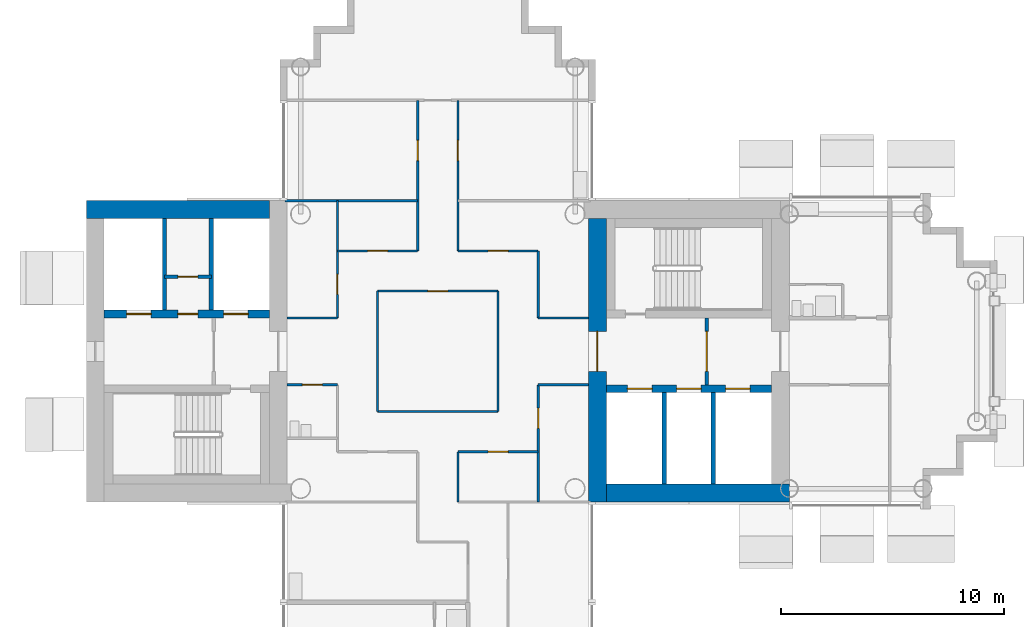
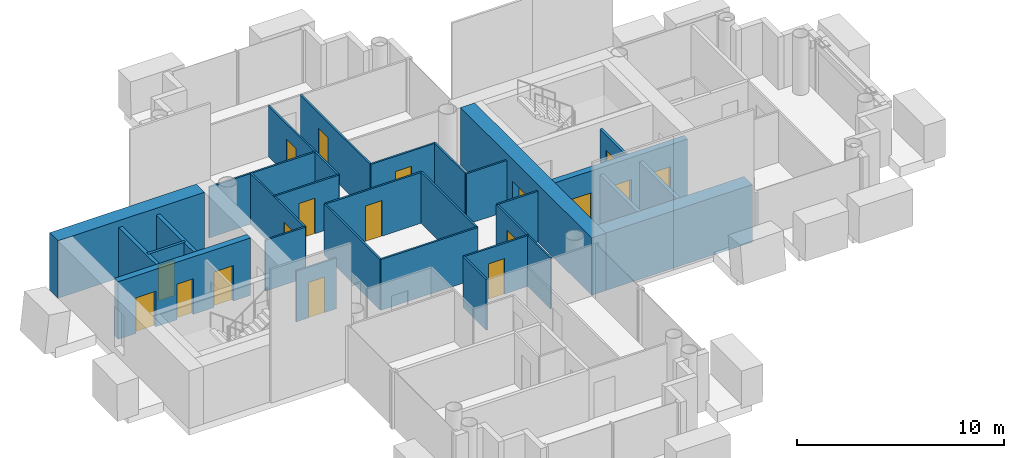
# One storey, part 7 of 18: 29 walls, 18 doors, 18 openings.
"""IFC4 building model written with IfcOpenShell, lengths in metres."""

import ifcopenshell
import ifcopenshell.guid

model = None  # the IFC model being written
_history = None  # IfcOwnerHistory: only IFC2X3 demands one
_inside = {}  # id of a spatial element -> (the spatial element, [elements in it])
_under = {}  # id of a project, library or spatial element -> (it, [spatial elements below it])
_declared = {}  # id of a project -> (the project, [libraries it declares])
_typed = {}  # id of a type object -> (the type object, [elements of that type])
_made_of = {}  # id of a material, layer set ... -> (it, [elements and type objects made of it])


def new_model(schema):
    """Start an empty IFC model of exactly this schema.

    Asked for "IFC4X3", IfcOpenShell would pick the latest addendum, in which some entities
    have other attributes; the version numbers below select the first issue.
    IFC2X3 requires an IfcOwnerHistory on every rooted entity: one is made here for all.
    """
    global model, _history
    if schema == "IFC4X3":
        model = ifcopenshell.file(schema_version=(4, 3, 0, 0))
    else:
        model = ifcopenshell.file(schema=schema)
    _inside.clear()
    _under.clear()
    _declared.clear()
    _typed.clear()
    _made_of.clear()
    _history = None
    if model.schema == "IFC2X3":
        org = make("IfcOrganization", Name="unknown")
        user = make(
            "IfcPersonAndOrganization",
            ThePerson=make("IfcPerson", FamilyName="unknown"),
            TheOrganization=org,
        )
        app = make(
            "IfcApplication",
            ApplicationDeveloper=org,
            Version="unknown",
            ApplicationFullName="unknown",
            ApplicationIdentifier="unknown",
        )
        _history = make(
            "IfcOwnerHistory",
            OwningUser=user,
            OwningApplication=app,
            ChangeAction="ADDED",
            CreationDate=0,
        )
    return model


def make(cls, **values):
    """One entity of the class cls with the attributes given. An attribute that is None is left unset."""
    return model.create_entity(
        cls, **{name: value for name, value in values.items() if value is not None}
    )


def rooted(cls, **values):
    """An entity with a GlobalId (a new one), such as an element, a storey or a relation."""
    return make(cls, GlobalId=ifcopenshell.guid.new(), OwnerHistory=_history, **values)


def si_unit(unit_type, name, prefix=None):
    """IfcSIUnit, for example si_unit("LENGTHUNIT", "METRE", prefix="MILLI")."""
    return make("IfcSIUnit", UnitType=unit_type, Prefix=prefix, Name=name)


def assignment(units):
    """IfcUnitAssignment: the units of a project."""
    return None if units is None else make("IfcUnitAssignment", Units=units)


def point(xyz):
    """IfcCartesianPoint."""
    return None if xyz is None else make("IfcCartesianPoint", Coordinates=xyz)


def direction(xyz):
    """IfcDirection."""
    return None if xyz is None else make("IfcDirection", DirectionRatios=xyz)


def frame(location, z_axis=None, x_axis=None):
    """IfcAxis2Placement3D, a coordinate frame: its origin and axes. An axis left out is left unset."""
    return make(
        "IfcAxis2Placement3D",
        Location=point(location),
        Axis=direction(z_axis),
        RefDirection=direction(x_axis),
    )


def frame_2d(location, x_axis=None):
    """IfcAxis2Placement2D, a coordinate frame in the plane: its origin and x axis."""
    return make(
        "IfcAxis2Placement2D", Location=point(location), RefDirection=direction(x_axis)
    )


def origin():
    """The frame at (0, 0, 0) with its axes left unset."""
    return frame((0.0, 0.0, 0.0))


def place(relative_to, where):
    """IfcLocalPlacement: puts the frame where relative to a parent placement (None: the world)."""
    return make(
        "IfcLocalPlacement", PlacementRelTo=relative_to, RelativePlacement=where
    )


def context(
    kind, dimensions, precision=None, world=None, true_north=None, identifier=None
):
    """IfcGeometricRepresentationContext, for example the 3D "Model" context."""
    return make(
        "IfcGeometricRepresentationContext",
        ContextIdentifier=identifier,
        ContextType=kind,
        CoordinateSpaceDimension=dimensions,
        Precision=precision,
        WorldCoordinateSystem=world,
        TrueNorth=true_north,
    )


def subcontext(parent, identifier, kind, view, scale=None):
    """IfcGeometricRepresentationSubContext, for example "Body" below "Model"."""
    return make(
        "IfcGeometricRepresentationSubContext",
        ContextIdentifier=identifier,
        ContextType=kind,
        ParentContext=parent,
        TargetScale=scale,
        TargetView=view,
    )


def project(units=None, contexts=None):
    """IfcProject with its units and contexts."""
    return rooted(
        "IfcProject",
        Name="project",
        RepresentationContexts=contexts,
        UnitsInContext=assignment(units),
    )


def spatial(cls, under=None, at=None, **own):
    """A site, building, storey or space (cls), placed at a placement, below another one or the project."""
    s = rooted(cls, ObjectPlacement=at, **own)
    if under is not None:
        _under.setdefault(under.id(), (under, []))[1].append(s)
    return s


def profile(cls, at=None, kind="AREA", **sizes):
    """A parametric profile (cls). Its sizes go by their IFC names, for example OverallWidth=200.0."""
    return make(cls, ProfileType=kind, Position=at, **sizes)


def rectangle(**sizes):
    """IfcRectangleProfileDef."""
    return profile("IfcRectangleProfileDef", **sizes)


def extrude(swept, where, along, depth):
    """IfcExtrudedAreaSolid: the profile swept, set in the frame where, extruded along a direction by depth."""
    return make(
        "IfcExtrudedAreaSolid",
        SweptArea=swept,
        Position=where,
        ExtrudedDirection=direction(along),
        Depth=depth,
    )


def shape(context_of_items, identifier, shape_type, items):
    """IfcShapeRepresentation: the items that make up one representation, for example the "Body"."""
    return make(
        "IfcShapeRepresentation",
        ContextOfItems=context_of_items,
        RepresentationIdentifier=identifier,
        RepresentationType=shape_type,
        Items=items,
    )


def material(Name=None, Category=None):
    """IfcMaterial."""
    return make("IfcMaterial", Name=Name, Category=Category)


def layer(
    of_material, thickness, ventilated=None, Name=None, Category=None, Priority=None
):
    """IfcMaterialLayer: one layer of a wall or slab, of a material (None: an air gap)."""
    return make(
        "IfcMaterialLayer",
        Material=of_material,
        LayerThickness=thickness,
        IsVentilated=ventilated,
        Name=Name,
        Category=Category,
        Priority=Priority,
    )


def layer_set(layers, Name=None):
    """IfcMaterialLayerSet."""
    return make("IfcMaterialLayerSet", MaterialLayers=layers, LayerSetName=Name)


def made_of(thing, what):
    """Note that an element or type object is made of a material, layer set ...; save() writes the relation."""
    if what is not None:
        _made_of.setdefault(what.id(), (what, []))[1].append(thing)
    return thing


def type_object(cls, material=None, **own):
    """A type object (cls), such as IfcWallType, which elements share."""
    return made_of(rooted(cls, **own), material)


def element(
    cls,
    number,
    at=None,
    inside=None,
    cuts=None,
    type_object=None,
    material=None,
    context=None,
    identifier="Body",
    shape_type=None,
    held_by="IfcProductDefinitionShape",
    body=None,
    shapes=None,
    **own,
):
    """One element of the class cls, such as IfcWall. Its Tag is "e" and its number.

    at: its placement. inside: the storey or other place that contains it. cuts: it is an
    opening in that element (IfcRelVoidsElement). A single representation is given by context,
    identifier, shape_type and body (its items); several are given by shapes. held_by: the class
    of the entity that holds the representations. save() writes the other relations.
    """
    e = rooted(cls, Tag="e%d" % number, ObjectPlacement=at, **own)
    if body is not None:
        shapes = [shape(context, identifier, shape_type, body)]
    if shapes is not None:
        e.Representation = make(held_by, Representations=shapes)
    if inside is not None:
        _inside.setdefault(inside.id(), (inside, []))[1].append(e)
    if cuts is not None:
        rooted(
            "IfcRelVoidsElement", RelatingBuildingElement=cuts, RelatedOpeningElement=e
        )
    if type_object is not None:
        _typed.setdefault(type_object.id(), (type_object, []))[1].append(e)
    return made_of(e, material)


def fill(opening, filler):
    """IfcRelFillsElement: the door or window that sits in an opening."""
    return rooted(
        "IfcRelFillsElement",
        RelatingOpeningElement=opening,
        RelatedBuildingElement=filler,
    )


def aggregate(whole, parts):
    """IfcRelAggregates: a whole, such as a stair, and the parts it consists of."""
    return rooted("IfcRelAggregates", RelatingObject=whole, RelatedObjects=parts)


def save(model, path):
    """Write the relations noted so far, then the file.

    IfcRelAggregates (storeys below a building ...), IfcRelContainedInSpatialStructure (elements
    in a storey), IfcRelDefinesByType, IfcRelAssociatesMaterial and IfcRelDeclares: one each for
    every whole, place, type object, material and project.
    """
    for whole, parts in _under.values():
        aggregate(whole, parts)
    for where, things in _inside.values():
        rooted(
            "IfcRelContainedInSpatialStructure",
            RelatedElements=things,
            RelatingStructure=where,
        )
    for kind, things in _typed.values():
        rooted("IfcRelDefinesByType", RelatedObjects=things, RelatingType=kind)
    for what, things in _made_of.values():
        rooted("IfcRelAssociatesMaterial", RelatedObjects=things, RelatingMaterial=what)
    for by, libraries in _declared.values():
        rooted("IfcRelDeclares", RelatingContext=by, RelatedDefinitions=libraries)
    model.write(path)


model = new_model("IFC4")

# Units and contexts
model_context = context("Model", 3, precision=1e-05, world=origin(), true_north=direction((0.0, 1.0)))
body_context = subcontext(model_context, "Body", "Model", "MODEL_VIEW")
ifc_project = project(units=[si_unit("LENGTHUNIT", "METRE"), si_unit("AREAUNIT", "SQUARE_METRE"), si_unit("VOLUMEUNIT", "CUBIC_METRE"), si_unit("PLANEANGLEUNIT", "RADIAN"), si_unit("MASSUNIT", "GRAM", prefix="KILO")], contexts=[model_context])

# Site, building, storey
site_placement = place(None, origin())
site = spatial("IfcSite", under=ifc_project, at=site_placement, CompositionType="ELEMENT")
building_placement = place(site_placement, origin())
building = spatial("IfcBuilding", under=site, at=building_placement, Name="Ipe Terrace Towers", CompositionType="ELEMENT")
storey_placement = place(building_placement, frame((0.0, 0.0, 177.89990234375)))
storey = spatial("IfcBuildingStorey", under=building, at=storey_placement, Name="L49", CompositionType="ELEMENT", Elevation=177.89990234375)

# Wall, opening, door
ifc_material_1 = material(Name="Gypsum board partition", Category="plasterboard")
ifc_layer_1 = layer(ifc_material_1, 0.10009765625)
ifc_layer_set_1 = layer_set([ifc_layer_1], Name="Gypsum board partition 100 mm")
wall_type_1 = type_object("IfcWallType", Name="Gypsum board partition 100 mm", PredefinedType="PARTITIONING", material=ifc_layer_set_1)
wall_1_placement = place(storey_placement, frame((-40.5, 1.5, 0.0), z_axis=(0.0, 0.0, 1.0), x_axis=(0.0, 1.0, 0.0)))
wall_1 = element("IfcWall", 1, at=wall_1_placement, inside=storey, type_object=wall_type_1, Name="Gypsum board partition T1 L49 W02", PredefinedType="PARTITIONING", context=body_context, shape_type="SweptSolid", body=[
    extrude(rectangle(XDim=5.25, YDim=0.10009765625, at=frame_2d((2.625, 0.0))), origin(), (0.0, 0.0, 1.0), 3.0),
])
opening_1_placement = place(wall_1_placement, frame((1.050048828125, 0.0, 0.0)))
opening_1 = element("IfcOpeningElement", 2, at=opening_1_placement, cuts=wall_1, Name="Opening T1-Z3E-05", PredefinedType="OPENING", context=body_context, shape_type="SweptSolid", body=[
    extrude(rectangle(XDim=0.89990234375, YDim=2.10009765625, at=frame_2d((0.449951171875, 1.050048828125))), frame((0.0, 0.06005859375, 0.0), z_axis=(0.0, -1.0, 0.0), x_axis=(1.0, 0.0, 0.0)), (0.0, 0.0, 1.0), 0.1201171875),
])
ifc_material_2 = material(Name="Timber door leaf", Category="wood")
door_type_1 = type_object("IfcDoorType", Name="Lounge door 900 x 2100", OperationType="NOTDEFINED", PredefinedType="DOOR", material=ifc_material_2)
door_1_placement = place(opening_1_placement, origin())
door_1 = element("IfcDoor", 3, at=door_1_placement, inside=storey, type_object=door_type_1, Name="Lounge door T1-Z3E-05", OperationType="SINGLE_SWING_RIGHT", OverallHeight=2.10009765625, OverallWidth=0.89990234375, PredefinedType="DOOR", context=body_context, shape_type="SweptSolid", body=[
    extrude(rectangle(XDim=0.89990234375, YDim=2.10009765625, at=frame_2d((0.449951171875, 1.050048828125))), frame((0.0, 0.02490234375, 0.0), z_axis=(0.0, -1.0, 0.0), x_axis=(1.0, 0.0, 0.0)), (0.0, 0.0, 1.0), 0.050048828125),
])
fill(opening_1, door_1)

# Wall
wall_2_placement = place(storey_placement, frame((-38.699951171875, -2.699951171875, 0.0), z_axis=(0.0, 0.0, 1.0), x_axis=(0.0, 1.0, 0.0)))
element("IfcWall", 4, at=wall_2_placement, inside=storey, type_object=wall_type_1, Name="Gypsum board partition T1 L49 W03", PredefinedType="PARTITIONING", context=body_context, shape_type="SweptSolid", body=[
    extrude(rectangle(XDim=5.39990234375, YDim=0.10009765625, at=frame_2d((2.699951171875, 0.0))), origin(), (0.0, 0.0, 1.0), 3.0),
])

# Wall, opening, door
wall_3_placement = place(storey_placement, frame((-36.89990234375, 4.5, 0.0), z_axis=(0.0, 0.0, 1.0), x_axis=(0.0, 1.0, 0.0)))
wall_3 = element("IfcWall", 5, at=wall_3_placement, inside=storey, type_object=wall_type_1, Name="Gypsum board partition T1 L49 W05", PredefinedType="PARTITIONING", context=body_context, shape_type="SweptSolid", body=[
    extrude(rectangle(XDim=6.75, YDim=0.10009765625, at=frame_2d((3.375, 0.0))), origin(), (0.0, 0.0, 1.0), 3.0),
])
opening_2_placement = place(wall_3_placement, frame((4.050048828125, 0.0, 0.0)))
opening_2 = element("IfcOpeningElement", 6, at=opening_2_placement, cuts=wall_3, Name="Opening T1-Z3E-09", PredefinedType="OPENING", context=body_context, shape_type="SweptSolid", body=[
    extrude(rectangle(XDim=0.89990234375, YDim=2.10009765625, at=frame_2d((0.449951171875, 1.050048828125))), frame((0.0, 0.06005859375, 0.0), z_axis=(0.0, -1.0, 0.0), x_axis=(1.0, 0.0, 0.0)), (0.0, 0.0, 1.0), 0.1201171875),
])
door_2_placement = place(opening_2_placement, origin())
door_2 = element("IfcDoor", 7, at=door_2_placement, inside=storey, type_object=door_type_1, Name="Lounge door T1-Z3E-09", OperationType="SINGLE_SWING_LEFT", OverallHeight=2.10009765625, OverallWidth=0.89990234375, PredefinedType="DOOR", context=body_context, shape_type="SweptSolid", body=[
    extrude(rectangle(XDim=0.89990234375, YDim=2.10009765625, at=frame_2d((0.449951171875, 1.050048828125))), frame((0.0, 0.02490234375, 0.0), z_axis=(0.0, -1.0, 0.0), x_axis=(1.0, 0.0, 0.0)), (0.0, 0.0, 1.0), 0.050048828125),
])
fill(opening_2, door_2)

# Wall
wall_4_placement = place(storey_placement, frame((-35.10009765625, -6.75, 0.0), z_axis=(0.0, 0.0, 1.0), x_axis=(0.0, 1.0, 0.0)))
element("IfcWall", 8, at=wall_4_placement, inside=storey, type_object=wall_type_1, Name="Gypsum board partition T1 L49 W07", PredefinedType="PARTITIONING", context=body_context, shape_type="SweptSolid", body=[
    extrude(rectangle(XDim=2.25, YDim=0.10009765625, at=frame_2d((1.125, 0.0))), origin(), (0.0, 0.0, 1.0), 3.0),
])

# Wall, opening, door
wall_5_placement = place(storey_placement, frame((-35.10009765625, 4.5, 0.0), z_axis=(0.0, 0.0, 1.0), x_axis=(0.0, 1.0, 0.0)))
wall_5 = element("IfcWall", 9, at=wall_5_placement, inside=storey, type_object=wall_type_1, Name="Gypsum board partition T1 L49 W08", PredefinedType="PARTITIONING", context=body_context, shape_type="SweptSolid", body=[
    extrude(rectangle(XDim=6.75, YDim=0.10009765625, at=frame_2d((3.375, 0.0))), origin(), (0.0, 0.0, 1.0), 3.0),
])
opening_3_placement = place(wall_5_placement, frame((4.050048828125, 0.0, 0.0)))
opening_3 = element("IfcOpeningElement", 10, at=opening_3_placement, cuts=wall_5, Name="Opening T1-Z3E-10", PredefinedType="OPENING", context=body_context, shape_type="SweptSolid", body=[
    extrude(rectangle(XDim=0.89990234375, YDim=2.10009765625, at=frame_2d((0.449951171875, 1.050048828125))), frame((0.0, 0.06005859375, 0.0), z_axis=(0.0, -1.0, 0.0), x_axis=(1.0, 0.0, 0.0)), (0.0, 0.0, 1.0), 0.1201171875),
])
door_3_placement = place(opening_3_placement, origin())
door_3 = element("IfcDoor", 11, at=door_3_placement, inside=storey, type_object=door_type_1, Name="Lounge door T1-Z3E-10", OperationType="SINGLE_SWING_RIGHT", OverallHeight=2.10009765625, OverallWidth=0.89990234375, PredefinedType="DOOR", context=body_context, shape_type="SweptSolid", body=[
    extrude(rectangle(XDim=0.89990234375, YDim=2.10009765625, at=frame_2d((0.449951171875, 1.050048828125))), frame((0.0, 0.02490234375, 0.0), z_axis=(0.0, -1.0, 0.0), x_axis=(1.0, 0.0, 0.0)), (0.0, 0.0, 1.0), 0.050048828125),
])
fill(opening_3, door_3)

# Wall
wall_6_placement = place(storey_placement, frame((-33.300048828125, -2.699951171875, 0.0), z_axis=(0.0, 0.0, 1.0), x_axis=(0.0, 1.0, 0.0)))
element("IfcWall", 12, at=wall_6_placement, inside=storey, type_object=wall_type_1, Name="Gypsum board partition T1 L49 W11", PredefinedType="PARTITIONING", context=body_context, shape_type="SweptSolid", body=[
    extrude(rectangle(XDim=5.39990234375, YDim=0.10009765625, at=frame_2d((2.699951171875, 0.0))), origin(), (0.0, 0.0, 1.0), 3.0),
])

# Wall, opening, door
wall_7_placement = place(storey_placement, frame((-31.5, -6.75, 0.0), z_axis=(0.0, 0.0, 1.0), x_axis=(0.0, 1.0, 0.0)))
wall_7 = element("IfcWall", 13, at=wall_7_placement, inside=storey, type_object=wall_type_1, Name="Gypsum board partition T1 L49 W13", PredefinedType="PARTITIONING", context=body_context, shape_type="SweptSolid", body=[
    extrude(rectangle(XDim=5.25, YDim=0.10009765625, at=frame_2d((2.625, 0.0))), origin(), (0.0, 0.0, 1.0), 3.0),
])
opening_4_placement = place(wall_7_placement, frame((3.300048828125, 0.0, 0.0)))
opening_4 = element("IfcOpeningElement", 14, at=opening_4_placement, cuts=wall_7, Name="Opening T1-Z3E-08", PredefinedType="OPENING", context=body_context, shape_type="SweptSolid", body=[
    extrude(rectangle(XDim=0.89990234375, YDim=2.10009765625, at=frame_2d((0.449951171875, 1.050048828125))), frame((0.0, 0.06005859375, 0.0), z_axis=(0.0, -1.0, 0.0), x_axis=(1.0, 0.0, 0.0)), (0.0, 0.0, 1.0), 0.1201171875),
])
door_4_placement = place(opening_4_placement, origin())
door_4 = element("IfcDoor", 15, at=door_4_placement, inside=storey, type_object=door_type_1, Name="Lounge door T1-Z3E-08", OperationType="SINGLE_SWING_RIGHT", OverallHeight=2.10009765625, OverallWidth=0.89990234375, PredefinedType="DOOR", context=body_context, shape_type="SweptSolid", body=[
    extrude(rectangle(XDim=0.89990234375, YDim=2.10009765625, at=frame_2d((0.449951171875, 1.050048828125))), frame((0.0, 0.02490234375, 0.0), z_axis=(0.0, -1.0, 0.0), x_axis=(1.0, 0.0, 0.0)), (0.0, 0.0, 1.0), 0.050048828125),
])
fill(opening_4, door_4)

# Wall
wall_8_placement = place(storey_placement, frame((-31.5, 1.5, 0.0), z_axis=(0.0, 0.0, 1.0), x_axis=(0.0, 1.0, 0.0)))
element("IfcWall", 16, at=wall_8_placement, inside=storey, type_object=wall_type_1, Name="Gypsum board partition T1 L49 W14", PredefinedType="PARTITIONING", context=body_context, shape_type="SweptSolid", body=[
    extrude(rectangle(XDim=3.0, YDim=0.10009765625, at=frame_2d((1.5, 0.0))), origin(), (0.0, 0.0, 1.0), 3.0),
])

# Wall, opening, door
wall_9_placement = place(storey_placement, frame((-35.10009765625, -4.5, 0.0), z_axis=(0.0, 0.0, 1.0), x_axis=(1.0, 0.0, 0.0)))
wall_9 = element("IfcWall", 17, at=wall_9_placement, inside=storey, type_object=wall_type_1, Name="Gypsum board partition T1 L49 W26", PredefinedType="PARTITIONING", context=body_context, shape_type="SweptSolid", body=[
    extrude(rectangle(XDim=3.60009765625, YDim=0.10009765625, at=frame_2d((1.800048828125, 0.0))), origin(), (0.0, 0.0, 1.0), 3.0),
])
opening_5_placement = place(wall_9_placement, frame((1.35009765625, 0.0, 0.0)))
opening_5 = element("IfcOpeningElement", 18, at=opening_5_placement, cuts=wall_9, Name="Opening T1-Z3E-07", PredefinedType="OPENING", context=body_context, shape_type="SweptSolid", body=[
    extrude(rectangle(XDim=0.89990234375, YDim=2.10009765625, at=frame_2d((0.449951171875, 1.050048828125))), frame((0.0, 0.06005859375, 0.0), z_axis=(0.0, -1.0, 0.0), x_axis=(1.0, 0.0, 0.0)), (0.0, 0.0, 1.0), 0.1201171875),
])
door_5_placement = place(opening_5_placement, origin())
door_5 = element("IfcDoor", 19, at=door_5_placement, inside=storey, type_object=door_type_1, Name="Lounge door T1-Z3E-07", OperationType="SINGLE_SWING_RIGHT", OverallHeight=2.10009765625, OverallWidth=0.89990234375, PredefinedType="DOOR", context=body_context, shape_type="SweptSolid", body=[
    extrude(rectangle(XDim=0.89990234375, YDim=2.10009765625, at=frame_2d((0.449951171875, 1.050048828125))), frame((0.0, 0.02490234375, 0.0), z_axis=(0.0, -1.0, 0.0), x_axis=(1.0, 0.0, 0.0)), (0.0, 0.0, 1.0), 0.050048828125),
])
fill(opening_5, door_5)

# Wall
wall_10_placement = place(storey_placement, frame((-38.699951171875, -2.699951171875, 0.0), z_axis=(0.0, 0.0, 1.0), x_axis=(1.0, 0.0, 0.0)))
element("IfcWall", 20, at=wall_10_placement, inside=storey, type_object=wall_type_1, Name="Gypsum board partition T1 L49 W28", PredefinedType="PARTITIONING", context=body_context, shape_type="SweptSolid", body=[
    extrude(rectangle(XDim=5.39990234375, YDim=0.10009765625, at=frame_2d((2.699951171875, 0.0))), origin(), (0.0, 0.0, 1.0), 3.0),
])

# Wall, opening, door
wall_11_placement = place(storey_placement, frame((-42.75, -1.5, 0.0), z_axis=(0.0, 0.0, 1.0), x_axis=(1.0, 0.0, 0.0)))
wall_11 = element("IfcWall", 21, at=wall_11_placement, inside=storey, type_object=wall_type_1, Name="Gypsum board partition T1 L49 W29", PredefinedType="PARTITIONING", context=body_context, shape_type="SweptSolid", body=[
    extrude(rectangle(XDim=2.25, YDim=0.10009765625, at=frame_2d((1.125, 0.0))), origin(), (0.0, 0.0, 1.0), 3.0),
])
opening_6_placement = place(wall_11_placement, frame((0.675048828125, 0.0, 0.0)))
opening_6 = element("IfcOpeningElement", 22, at=opening_6_placement, cuts=wall_11, Name="Opening T1-Z3E-02", PredefinedType="OPENING", context=body_context, shape_type="SweptSolid", body=[
    extrude(rectangle(XDim=0.89990234375, YDim=2.10009765625, at=frame_2d((0.449951171875, 1.050048828125))), frame((0.0, 0.06005859375, 0.0), z_axis=(0.0, -1.0, 0.0), x_axis=(1.0, 0.0, 0.0)), (0.0, 0.0, 1.0), 0.1201171875),
])
ifc_material_3 = material(Name="Timber door leaf", Category="wood")
door_type_2 = type_object("IfcDoorType", Name="Bathroom door 900 x 2100", OperationType="NOTDEFINED", PredefinedType="DOOR", material=ifc_material_3)
door_6_placement = place(opening_6_placement, origin())
door_6 = element("IfcDoor", 23, at=door_6_placement, inside=storey, type_object=door_type_2, Name="Bathroom door T1-Z3E-02", OperationType="SINGLE_SWING_RIGHT", OverallHeight=2.10009765625, OverallWidth=0.89990234375, PredefinedType="DOOR", context=body_context, shape_type="SweptSolid", body=[
    extrude(rectangle(XDim=0.89990234375, YDim=2.10009765625, at=frame_2d((0.449951171875, 1.050048828125))), frame((0.0, 0.02490234375, 0.0), z_axis=(0.0, -1.0, 0.0), x_axis=(1.0, 0.0, 0.0)), (0.0, 0.0, 1.0), 0.050048828125),
])
fill(opening_6, door_6)

# Walls
for number, where, z_axis, x_axis, name in (
    (24, (-31.5, -1.5, 0.0), (0.0, 0.0, 1.0), (1.0, 0.0, 0.0), "Gypsum board partition T1 L49 W30"),
    (25, (-42.75, 1.5, 0.0), (0.0, 0.0, 1.0), (1.0, 0.0, 0.0), "Gypsum board partition T1 L49 W32"),
    (26, (-31.5, 1.5, 0.0), (0.0, 0.0, 1.0), (1.0, 0.0, 0.0), "Gypsum board partition T1 L49 W33"),
):
    element("IfcWall", number, at=place(storey_placement, frame(where, z_axis=z_axis, x_axis=x_axis)), inside=storey, type_object=wall_type_1, Name=name, PredefinedType="PARTITIONING", context=body_context, shape_type="SweptSolid", body=[
        extrude(rectangle(XDim=2.25, YDim=0.10009765625, at=frame_2d((1.125, 0.0))), origin(), (0.0, 0.0, 1.0), 3.0),
    ])

# Wall, opening, door
wall_12_placement = place(storey_placement, frame((-38.699951171875, 2.699951171875, 0.0), z_axis=(0.0, 0.0, 1.0), x_axis=(1.0, 0.0, 0.0)))
wall_12 = element("IfcWall", 27, at=wall_12_placement, inside=storey, type_object=wall_type_1, Name="Gypsum board partition T1 L49 W35", PredefinedType="PARTITIONING", context=body_context, shape_type="SweptSolid", body=[
    extrude(rectangle(XDim=5.39990234375, YDim=0.10009765625, at=frame_2d((2.699951171875, 0.0))), origin(), (0.0, 0.0, 1.0), 3.0),
])
opening_7_placement = place(wall_12_placement, frame((2.25, 0.0, 0.0)))
opening_7 = element("IfcOpeningElement", 28, at=opening_7_placement, cuts=wall_12, Name="Opening T1-Z3E-01", PredefinedType="OPENING", context=body_context, shape_type="SweptSolid", body=[
    extrude(rectangle(XDim=0.89990234375, YDim=2.10009765625, at=frame_2d((0.449951171875, 1.050048828125))), frame((0.0, 0.06005859375, 0.0), z_axis=(0.0, -1.0, 0.0), x_axis=(1.0, 0.0, 0.0)), (0.0, 0.0, 1.0), 0.1201171875),
])
door_7_placement = place(opening_7_placement, origin())
door_7 = element("IfcDoor", 29, at=door_7_placement, inside=storey, type_object=door_type_1, Name="Lounge door T1-Z3E-01", OperationType="SINGLE_SWING_RIGHT", OverallHeight=2.10009765625, OverallWidth=0.89990234375, PredefinedType="DOOR", context=body_context, shape_type="SweptSolid", body=[
    extrude(rectangle(XDim=0.89990234375, YDim=2.10009765625, at=frame_2d((0.449951171875, 1.050048828125))), frame((0.0, 0.02490234375, 0.0), z_axis=(0.0, -1.0, 0.0), x_axis=(1.0, 0.0, 0.0)), (0.0, 0.0, 1.0), 0.050048828125),
])
fill(opening_7, door_7)

wall_13_placement = place(storey_placement, frame((-40.5, 4.5, 0.0), z_axis=(0.0, 0.0, 1.0), x_axis=(1.0, 0.0, 0.0)))
wall_13 = element("IfcWall", 30, at=wall_13_placement, inside=storey, type_object=wall_type_1, Name="Gypsum board partition T1 L49 W37", PredefinedType="PARTITIONING", context=body_context, shape_type="SweptSolid", body=[
    extrude(rectangle(XDim=3.60009765625, YDim=0.10009765625, at=frame_2d((1.800048828125, 0.0))), origin(), (0.0, 0.0, 1.0), 3.0),
])
opening_8_placement = place(wall_13_placement, frame((1.35009765625, 0.0, 0.0)))
opening_8 = element("IfcOpeningElement", 31, at=opening_8_placement, cuts=wall_13, Name="Opening T1-Z3E-04", PredefinedType="OPENING", context=body_context, shape_type="SweptSolid", body=[
    extrude(rectangle(XDim=0.89990234375, YDim=2.10009765625, at=frame_2d((0.449951171875, 1.050048828125))), frame((0.0, 0.06005859375, 0.0), z_axis=(0.0, -1.0, 0.0), x_axis=(1.0, 0.0, 0.0)), (0.0, 0.0, 1.0), 0.1201171875),
])
door_8_placement = place(opening_8_placement, origin())
door_8 = element("IfcDoor", 32, at=door_8_placement, inside=storey, type_object=door_type_1, Name="Lounge door T1-Z3E-04", OperationType="SINGLE_SWING_RIGHT", OverallHeight=2.10009765625, OverallWidth=0.89990234375, PredefinedType="DOOR", context=body_context, shape_type="SweptSolid", body=[
    extrude(rectangle(XDim=0.89990234375, YDim=2.10009765625, at=frame_2d((0.449951171875, 1.050048828125))), frame((0.0, 0.02490234375, 0.0), z_axis=(0.0, -1.0, 0.0), x_axis=(1.0, 0.0, 0.0)), (0.0, 0.0, 1.0), 0.050048828125),
])
fill(opening_8, door_8)

wall_14_placement = place(storey_placement, frame((-35.10009765625, 4.5, 0.0), z_axis=(0.0, 0.0, 1.0), x_axis=(1.0, 0.0, 0.0)))
wall_14 = element("IfcWall", 33, at=wall_14_placement, inside=storey, type_object=wall_type_1, Name="Gypsum board partition T1 L49 W38", PredefinedType="PARTITIONING", context=body_context, shape_type="SweptSolid", body=[
    extrude(rectangle(XDim=3.60009765625, YDim=0.10009765625, at=frame_2d((1.800048828125, 0.0))), origin(), (0.0, 0.0, 1.0), 3.0),
])
opening_9_placement = place(wall_14_placement, frame((1.35009765625, 0.0, 0.0)))
opening_9 = element("IfcOpeningElement", 34, at=opening_9_placement, cuts=wall_14, Name="Opening T1-Z3E-03", PredefinedType="OPENING", context=body_context, shape_type="SweptSolid", body=[
    extrude(rectangle(XDim=0.89990234375, YDim=2.10009765625, at=frame_2d((0.449951171875, 1.050048828125))), frame((0.0, 0.06005859375, 0.0), z_axis=(0.0, -1.0, 0.0), x_axis=(1.0, 0.0, 0.0)), (0.0, 0.0, 1.0), 0.1201171875),
])
door_9_placement = place(opening_9_placement, origin())
door_9 = element("IfcDoor", 35, at=door_9_placement, inside=storey, type_object=door_type_1, Name="Lounge door T1-Z3E-03", OperationType="SINGLE_SWING_RIGHT", OverallHeight=2.10009765625, OverallWidth=0.89990234375, PredefinedType="DOOR", context=body_context, shape_type="SweptSolid", body=[
    extrude(rectangle(XDim=0.89990234375, YDim=2.10009765625, at=frame_2d((0.449951171875, 1.050048828125))), frame((0.0, 0.02490234375, 0.0), z_axis=(0.0, -1.0, 0.0), x_axis=(1.0, 0.0, 0.0)), (0.0, 0.0, 1.0), 0.050048828125),
])
fill(opening_9, door_9)

# Wall
wall_15_placement = place(storey_placement, frame((-42.85009765625, 6.75, 0.0), z_axis=(0.0, 0.0, 1.0), x_axis=(1.0, 0.0, 0.0)))
element("IfcWall", 36, at=wall_15_placement, inside=storey, type_object=wall_type_1, Name="Gypsum board partition T1 L49 W39", PredefinedType="PARTITIONING", context=body_context, shape_type="SweptSolid", body=[
    extrude(rectangle(XDim=5.9501953125, YDim=0.10009765625, at=frame_2d((2.97509765625, 0.0))), origin(), (0.0, 0.0, 1.0), 3.0),
])

# Wall, opening, door
ifc_material_4 = material(Name="Gypsum board partition", Category="plasterboard")
ifc_layer_2 = layer(ifc_material_4, 0.14990234375)
ifc_layer_set_2 = layer_set([ifc_layer_2], Name="Gypsum board partition 150 mm")
wall_type_2 = type_object("IfcWallType", Name="Gypsum board partition 150 mm", PredefinedType="PARTITIONING", material=ifc_layer_set_2)
wall_16_placement = place(storey_placement, frame((-23.949951171875, -1.5, 0.0), z_axis=(0.0, 0.0, 1.0), x_axis=(0.0, 1.0, 0.0)))
wall_16 = element("IfcWall", 37, at=wall_16_placement, inside=storey, type_object=wall_type_2, Name="Gypsum board partition T1 L49 t1c1-lobby-wall", PredefinedType="PARTITIONING", context=body_context, shape_type="SweptSolid", body=[
    extrude(rectangle(XDim=3.0, YDim=0.14990234375, at=frame_2d((1.5, 0.0))), origin(), (0.0, 0.0, 1.0), 3.0),
])
opening_10_placement = place(wall_16_placement, frame((0.60009765625, 0.0, 0.0)))
opening_10 = element("IfcOpeningElement", 38, at=opening_10_placement, cuts=wall_16, Name="Opening T1C1-VD", PredefinedType="OPENING", context=body_context, shape_type="SweptSolid", body=[
    extrude(rectangle(XDim=1.800048828125, YDim=2.10009765625, at=frame_2d((0.89990234375, 1.050048828125))), frame((0.0, 0.0849609375, 0.0), z_axis=(0.0, -1.0, 0.0), x_axis=(1.0, 0.0, 0.0)), (0.0, 0.0, 1.0), 0.169921875),
])
ifc_material_5 = material(Name="Fire-rated timber door leaf", Category="wood")
door_type_3 = type_object("IfcDoorType", Name="Lobby door 1800 x 2100 FD60", OperationType="NOTDEFINED", PredefinedType="DOOR", material=ifc_material_5)
door_10_placement = place(opening_10_placement, origin())
door_10 = element("IfcDoor", 39, at=door_10_placement, inside=storey, type_object=door_type_3, Name="Lobby door T1C1-VD", OperationType="SINGLE_SWING_LEFT", OverallHeight=2.10009765625, OverallWidth=1.800048828125, PredefinedType="DOOR", context=body_context, shape_type="SweptSolid", body=[
    extrude(rectangle(XDim=1.800048828125, YDim=2.10009765625, at=frame_2d((0.89990234375, 1.050048828125))), frame((0.0, 0.02490234375, 0.0), z_axis=(0.0, -1.0, 0.0), x_axis=(1.0, 0.0, 0.0)), (0.0, 0.0, 1.0), 0.050048828125),
])
fill(opening_10, door_10)

wall_17_placement = place(storey_placement, frame((-46.14990234375, 3.35009765625, 0.0), z_axis=(0.0, 0.0, 1.0), x_axis=(-1.0, 0.0, 0.0)))
wall_17 = element("IfcWall", 40, at=wall_17_placement, inside=storey, type_object=wall_type_2, Name="Gypsum board partition T1 L49 t1c2-q-back", PredefinedType="PARTITIONING", context=body_context, shape_type="SweptSolid", body=[
    extrude(rectangle(XDim=2.10009765625, YDim=0.14990234375, at=frame_2d((1.050048828125, 0.0))), origin(), (0.0, 0.0, 1.0), 3.0),
])
opening_11_placement = place(wall_17_placement, frame((0.60009765625, 0.0, 0.0)))
opening_11 = element("IfcOpeningElement", 41, at=opening_11_placement, cuts=wall_17, Name="Opening T1C2-RB", PredefinedType="OPENING", context=body_context, shape_type="SweptSolid", body=[
    extrude(rectangle(XDim=0.89990234375, YDim=2.10009765625, at=frame_2d((0.449951171875, 1.050048828125))), frame((0.0, 0.0849609375, 0.0), z_axis=(0.0, -1.0, 0.0), x_axis=(1.0, 0.0, 0.0)), (0.0, 0.0, 1.0), 0.169921875),
])
ifc_material_6 = material(Name="Fire-rated timber door leaf", Category="wood")
door_type_4 = type_object("IfcDoorType", Name="Service door 900 x 2100 FD60", OperationType="NOTDEFINED", PredefinedType="DOOR", material=ifc_material_6)
door_11_placement = place(opening_11_placement, origin())
door_11 = element("IfcDoor", 42, at=door_11_placement, inside=storey, type_object=door_type_4, Name="Service door T1C2-RB", OperationType="SINGLE_SWING_LEFT", OverallHeight=2.10009765625, OverallWidth=0.89990234375, PredefinedType="DOOR", context=body_context, shape_type="SweptSolid", body=[
    extrude(rectangle(XDim=0.89990234375, YDim=2.10009765625, at=frame_2d((0.449951171875, 1.050048828125))), frame((0.0, 0.02490234375, 0.0), z_axis=(0.0, -1.0, 0.0), x_axis=(1.0, 0.0, 0.0)), (0.0, 0.0, 1.0), 0.050048828125),
])
fill(opening_11, door_11)

# Walls
ifc_material_7 = material(Name="Gypsum board party wall", Category="plasterboard")
ifc_layer_3 = layer(ifc_material_7, 0.199951171875)
ifc_layer_set_3 = layer_set([ifc_layer_3], Name="Gypsum board party wall 200 mm")
wall_type_3 = type_object("IfcWallType", Name="Gypsum board party wall 200 mm", PredefinedType="SOLIDWALL", material=ifc_layer_set_3)
for number, where, z_axis, x_axis, name in (
    (43, (-25.85009765625, -5.949951171875, 0.0), (0.0, 0.0, 1.0), (0.0, 1.0, 0.0), "Gypsum board party wall T1 L49 t1c1-shaft-div1"),
    (44, (-23.64990234375, -5.949951171875, 0.0), (0.0, 0.0, 1.0), (0.0, 1.0, 0.0), "Gypsum board party wall T1 L49 t1c1-shaft-div2"),
    (45, (-48.25, 5.949951171875, 0.0), (0.0, 0.0, 1.0), (0.0, -1.0, 0.0), "Gypsum board party wall T1 L49 t1c2-shaft-div2"),
    (46, (-46.14990234375, 5.949951171875, 0.0), (0.0, 0.0, 1.0), (0.0, -1.0, 0.0), "Gypsum board party wall T1 L49 t1c2-shaft-div1"),
):
    element("IfcWall", number, at=place(storey_placement, frame(where, z_axis=z_axis, x_axis=x_axis)), inside=storey, type_object=wall_type_3, Name=name, PredefinedType="SOLIDWALL", context=body_context, shape_type="SweptSolid", body=[
        extrude(rectangle(XDim=4.099853515625, YDim=0.199951171875, at=frame_2d((2.0498046875, 0.0))), origin(), (0.0, 0.0, 1.0), 3.0),
    ])

# Wall, openings, doors
ifc_material_8 = material(Name="Concrete C50/60", Category="concrete")
ifc_layer_4 = layer(ifc_material_8, 0.35009765625)
ifc_layer_set_4 = layer_set([ifc_layer_4], Name="RW350 CORE SPINE WALL 350 C50-60")
wall_type_4 = type_object("IfcWallType", Name="RW350 CORE SPINE WALL 350 C50-60", PredefinedType="SHEAR", material=ifc_layer_set_4)
wall_18_placement = place(storey_placement, frame((-28.449951171875, -1.675048828125, 0.0), z_axis=(0.0, 0.0, 1.0), x_axis=(1.0, 0.0, 0.0)))
wall_18 = element("IfcWall", 47, at=wall_18_placement, inside=storey, type_object=wall_type_4, Name="Core spine wall T1-C1-Z3-SW1", PredefinedType="SHEAR", context=body_context, shape_type="SweptSolid", body=[
    extrude(rectangle(XDim=7.39990234375, YDim=0.35009765625, at=frame_2d((3.699951171875, 0.0))), origin(), (0.0, 0.0, 1.0), 3.400146484375),
])
opening_12_placement = place(wall_18_placement, frame((0.949951171875, 0.0, 0.0)))
opening_12 = element("IfcOpeningElement", 48, at=opening_12_placement, cuts=wall_18, Name="Opening T1C1-LD1", PredefinedType="OPENING", context=body_context, shape_type="SweptSolid", body=[
    extrude(rectangle(XDim=1.10009765625, YDim=2.10009765625, at=frame_2d((0.550048828125, 1.050048828125))), frame((0.0, 0.18505859375, 0.0), z_axis=(0.0, -1.0, 0.0), x_axis=(1.0, 0.0, 0.0)), (0.0, 0.0, 1.0), 0.3701171875),
])
opening_13_placement = place(wall_18_placement, frame((3.14990234375, 0.0, 0.0)))
opening_13 = element("IfcOpeningElement", 49, at=opening_13_placement, cuts=wall_18, Name="Opening T1C1-LD2", PredefinedType="OPENING", context=body_context, shape_type="SweptSolid", body=[
    extrude(rectangle(XDim=1.10009765625, YDim=2.10009765625, at=frame_2d((0.550048828125, 1.050048828125))), frame((0.0, 0.18505859375, 0.0), z_axis=(0.0, -1.0, 0.0), x_axis=(1.0, 0.0, 0.0)), (0.0, 0.0, 1.0), 0.3701171875),
])
opening_14_placement = place(wall_18_placement, frame((5.35009765625, 0.0, 0.0)))
opening_14 = element("IfcOpeningElement", 50, at=opening_14_placement, cuts=wall_18, Name="Opening T1C1-LD3", PredefinedType="OPENING", context=body_context, shape_type="SweptSolid", body=[
    extrude(rectangle(XDim=1.10009765625, YDim=2.10009765625, at=frame_2d((0.550048828125, 1.050048828125))), frame((0.0, 0.18505859375, 0.0), z_axis=(0.0, -1.0, 0.0), x_axis=(1.0, 0.0, 0.0)), (0.0, 0.0, 1.0), 0.3701171875),
])
ifc_material_9 = material(Name="Fire-rated timber door leaf", Category="wood")
door_type_5 = type_object("IfcDoorType", Name="Sliding door 1100 x 2100 FD60", OperationType="SLIDING_TO_LEFT", PredefinedType="DOOR", material=ifc_material_9)
door_12_placement = place(opening_12_placement, origin())
door_12 = element("IfcDoor", 51, at=door_12_placement, inside=storey, type_object=door_type_5, Name="Sliding door T1C1-LD1", OperationType="SLIDING_TO_LEFT", OverallHeight=2.10009765625, OverallWidth=1.10009765625, PredefinedType="DOOR", context=body_context, shape_type="SweptSolid", body=[
    extrude(rectangle(XDim=1.10009765625, YDim=2.10009765625, at=frame_2d((0.550048828125, 1.050048828125))), frame((0.0, 0.02490234375, 0.0), z_axis=(0.0, -1.0, 0.0), x_axis=(1.0, 0.0, 0.0)), (0.0, 0.0, 1.0), 0.050048828125),
])
fill(opening_12, door_12)
door_13_placement = place(opening_13_placement, origin())
door_13 = element("IfcDoor", 52, at=door_13_placement, inside=storey, type_object=door_type_5, Name="Sliding door T1C1-LD2", OperationType="SLIDING_TO_LEFT", OverallHeight=2.10009765625, OverallWidth=1.10009765625, PredefinedType="DOOR", context=body_context, shape_type="SweptSolid", body=[
    extrude(rectangle(XDim=1.10009765625, YDim=2.10009765625, at=frame_2d((0.550048828125, 1.050048828125))), frame((0.0, 0.02490234375, 0.0), z_axis=(0.0, -1.0, 0.0), x_axis=(1.0, 0.0, 0.0)), (0.0, 0.0, 1.0), 0.050048828125),
])
fill(opening_13, door_13)
door_14_placement = place(opening_14_placement, origin())
door_14 = element("IfcDoor", 53, at=door_14_placement, inside=storey, type_object=door_type_5, Name="Sliding door T1C1-LD3", OperationType="SLIDING_TO_LEFT", OverallHeight=2.10009765625, OverallWidth=1.10009765625, PredefinedType="DOOR", context=body_context, shape_type="SweptSolid", body=[
    extrude(rectangle(XDim=1.10009765625, YDim=2.10009765625, at=frame_2d((0.550048828125, 1.050048828125))), frame((0.0, 0.02490234375, 0.0), z_axis=(0.0, -1.0, 0.0), x_axis=(1.0, 0.0, 0.0)), (0.0, 0.0, 1.0), 0.050048828125),
])
fill(opening_14, door_14)

wall_19_placement = place(storey_placement, frame((-50.949951171875, 1.675048828125, 0.0), z_axis=(0.0, 0.0, 1.0), x_axis=(1.0, 0.0, 0.0)))
wall_19 = element("IfcWall", 54, at=wall_19_placement, inside=storey, type_object=wall_type_4, Name="Core spine wall T1-C2-Z3-SW2", PredefinedType="SHEAR", context=body_context, shape_type="SweptSolid", body=[
    extrude(rectangle(XDim=7.39990234375, YDim=0.35009765625, at=frame_2d((3.699951171875, 0.0))), origin(), (0.0, 0.0, 1.0), 3.400146484375),
])
opening_15_placement = place(wall_19_placement, frame((5.35009765625, 0.0, 0.0)))
opening_15 = element("IfcOpeningElement", 55, at=opening_15_placement, cuts=wall_19, Name="Opening T1C2-LD1", PredefinedType="OPENING", context=body_context, shape_type="SweptSolid", body=[
    extrude(rectangle(XDim=1.10009765625, YDim=2.10009765625, at=frame_2d((0.550048828125, 1.050048828125))), frame((0.0, 0.18505859375, 0.0), z_axis=(0.0, -1.0, 0.0), x_axis=(1.0, 0.0, 0.0)), (0.0, 0.0, 1.0), 0.3701171875),
])
opening_16_placement = place(wall_19_placement, frame((1.0, 0.0, 0.0)))
opening_16 = element("IfcOpeningElement", 56, at=opening_16_placement, cuts=wall_19, Name="Opening T1C2-LD3", PredefinedType="OPENING", context=body_context, shape_type="SweptSolid", body=[
    extrude(rectangle(XDim=1.10009765625, YDim=2.10009765625, at=frame_2d((0.550048828125, 1.050048828125))), frame((0.0, 0.18505859375, 0.0), z_axis=(0.0, -1.0, 0.0), x_axis=(1.0, 0.0, 0.0)), (0.0, 0.0, 1.0), 0.3701171875),
])
opening_17_placement = place(wall_19_placement, frame((3.300048828125, 0.0, 0.0)))
opening_17 = element("IfcOpeningElement", 57, at=opening_17_placement, cuts=wall_19, Name="Opening T1C2-R1-NR", PredefinedType="OPENING", context=body_context, shape_type="SweptSolid", body=[
    extrude(rectangle(XDim=0.89990234375, YDim=2.10009765625, at=frame_2d((0.449951171875, 1.050048828125))), frame((0.0, 0.18505859375, 0.0), z_axis=(0.0, -1.0, 0.0), x_axis=(1.0, 0.0, 0.0)), (0.0, 0.0, 1.0), 0.3701171875),
])
door_15_placement = place(opening_15_placement, origin())
door_15 = element("IfcDoor", 58, at=door_15_placement, inside=storey, type_object=door_type_5, Name="Sliding door T1C2-LD1", OperationType="SLIDING_TO_LEFT", OverallHeight=2.10009765625, OverallWidth=1.10009765625, PredefinedType="DOOR", context=body_context, shape_type="SweptSolid", body=[
    extrude(rectangle(XDim=1.10009765625, YDim=2.10009765625, at=frame_2d((0.550048828125, 1.050048828125))), frame((0.0, 0.02490234375, 0.0), z_axis=(0.0, -1.0, 0.0), x_axis=(1.0, 0.0, 0.0)), (0.0, 0.0, 1.0), 0.050048828125),
])
fill(opening_15, door_15)
door_16_placement = place(opening_16_placement, origin())
door_16 = element("IfcDoor", 59, at=door_16_placement, inside=storey, type_object=door_type_5, Name="Sliding door T1C2-LD3", OperationType="SLIDING_TO_LEFT", OverallHeight=2.10009765625, OverallWidth=1.10009765625, PredefinedType="DOOR", context=body_context, shape_type="SweptSolid", body=[
    extrude(rectangle(XDim=1.10009765625, YDim=2.10009765625, at=frame_2d((0.550048828125, 1.050048828125))), frame((0.0, 0.02490234375, 0.0), z_axis=(0.0, -1.0, 0.0), x_axis=(1.0, 0.0, 0.0)), (0.0, 0.0, 1.0), 0.050048828125),
])
fill(opening_16, door_16)
ifc_material_10 = material(Name="Timber door leaf", Category="wood")
door_type_6 = type_object("IfcDoorType", Name="Store door 900 x 2100", OperationType="NOTDEFINED", PredefinedType="DOOR", material=ifc_material_10)
door_17_placement = place(opening_17_placement, origin())
door_17 = element("IfcDoor", 60, at=door_17_placement, inside=storey, type_object=door_type_6, Name="Store door T1C2-R1-NR", OperationType="SINGLE_SWING_LEFT", OverallHeight=2.10009765625, OverallWidth=0.89990234375, PredefinedType="DOOR", context=body_context, shape_type="SweptSolid", body=[
    extrude(rectangle(XDim=0.89990234375, YDim=2.10009765625, at=frame_2d((0.449951171875, 1.050048828125))), frame((0.0, 0.02490234375, 0.0), z_axis=(0.0, -1.0, 0.0), x_axis=(1.0, 0.0, 0.0)), (0.0, 0.0, 1.0), 0.050048828125),
])
fill(opening_17, door_17)

# Wall
ifc_material_11 = material(Name="Concrete C50/60", Category="concrete")
ifc_layer_5 = layer(ifc_material_11, 0.800048828125)
ifc_layer_set_5 = layer_set([ifc_layer_5], Name="RW800 CORE WALL 800 C50-60")
wall_type_5 = type_object("IfcWallType", Name="RW800 CORE WALL 800 C50-60", PredefinedType="SHEAR", material=ifc_layer_set_5)
wall_20_placement = place(storey_placement, frame((-28.449951171875, -6.35009765625, 0.0), z_axis=(0.0, 0.0, 1.0), x_axis=(1.0, 0.0, 0.0)))
element("IfcWall", 61, at=wall_20_placement, inside=storey, type_object=wall_type_5, Name="Core wall T1-C1-Z3-W01", PredefinedType="SHEAR", context=body_context, shape_type="SweptSolid", body=[
    extrude(rectangle(XDim=8.199951171875, YDim=0.800048828125, at=frame_2d((4.10009765625, 0.0))), origin(), (0.0, 0.0, 1.0), 3.400146484375),
])

# Wall, opening, door
wall_21_placement = place(storey_placement, frame((-28.85009765625, 5.949951171875, 0.0), z_axis=(0.0, 0.0, 1.0), x_axis=(0.0, -1.0, 0.0)))
wall_21 = element("IfcWall", 62, at=wall_21_placement, inside=storey, type_object=wall_type_5, Name="Core wall T1-C1-Z3-W04", PredefinedType="SHEAR", context=body_context, shape_type="SweptSolid", body=[
    extrude(rectangle(XDim=12.699951171875, YDim=0.800048828125, at=frame_2d((6.35009765625, 0.0))), origin(), (0.0, 0.0, 1.0), 3.400146484375),
])
opening_18_placement = place(wall_21_placement, frame((5.050048828125, 0.0, 0.0)))
opening_18 = element("IfcOpeningElement", 63, at=opening_18_placement, cuts=wall_21, Name="Opening T1C1-ND", PredefinedType="OPENING", context=body_context, shape_type="SweptSolid", body=[
    extrude(rectangle(XDim=1.800048828125, YDim=2.10009765625, at=frame_2d((0.89990234375, 1.050048828125))), frame((0.0, 0.41015625, 0.0), z_axis=(0.0, -1.0, 0.0), x_axis=(1.0, 0.0, 0.0)), (0.0, 0.0, 1.0), 0.820068359375),
])
ifc_material_12 = material(Name="Fire-rated timber door leaf", Category="wood")
door_type_7 = type_object("IfcDoorType", Name="Fire door 1800 x 2100 FD30S", OperationType="NOTDEFINED", PredefinedType="DOOR", material=ifc_material_12)
door_18_placement = place(opening_18_placement, origin())
door_18 = element("IfcDoor", 64, at=door_18_placement, inside=storey, type_object=door_type_7, Name="Fire door T1C1-ND", OperationType="SINGLE_SWING_LEFT", OverallHeight=2.10009765625, OverallWidth=1.800048828125, PredefinedType="DOOR", context=body_context, shape_type="SweptSolid", body=[
    extrude(rectangle(XDim=1.800048828125, YDim=2.10009765625, at=frame_2d((0.89990234375, 1.050048828125))), frame((0.0, 0.02490234375, 0.0), z_axis=(0.0, -1.0, 0.0), x_axis=(1.0, 0.0, 0.0)), (0.0, 0.0, 1.0), 0.050048828125),
])
fill(opening_18, door_18)

# Wall
wall_22_placement = place(storey_placement, frame((-43.550048828125, 6.35009765625, 0.0), z_axis=(0.0, 0.0, 1.0), x_axis=(-1.0, 0.0, 0.0)))
element("IfcWall", 65, at=wall_22_placement, inside=storey, type_object=wall_type_5, Name="Core wall T1-C2-Z3-W03", PredefinedType="SHEAR", context=body_context, shape_type="SweptSolid", body=[
    extrude(rectangle(XDim=8.199951171875, YDim=0.800048828125, at=frame_2d((4.10009765625, 0.0))), origin(), (0.0, 0.0, 1.0), 3.400146484375),
])

save(model, "model.ifc")
